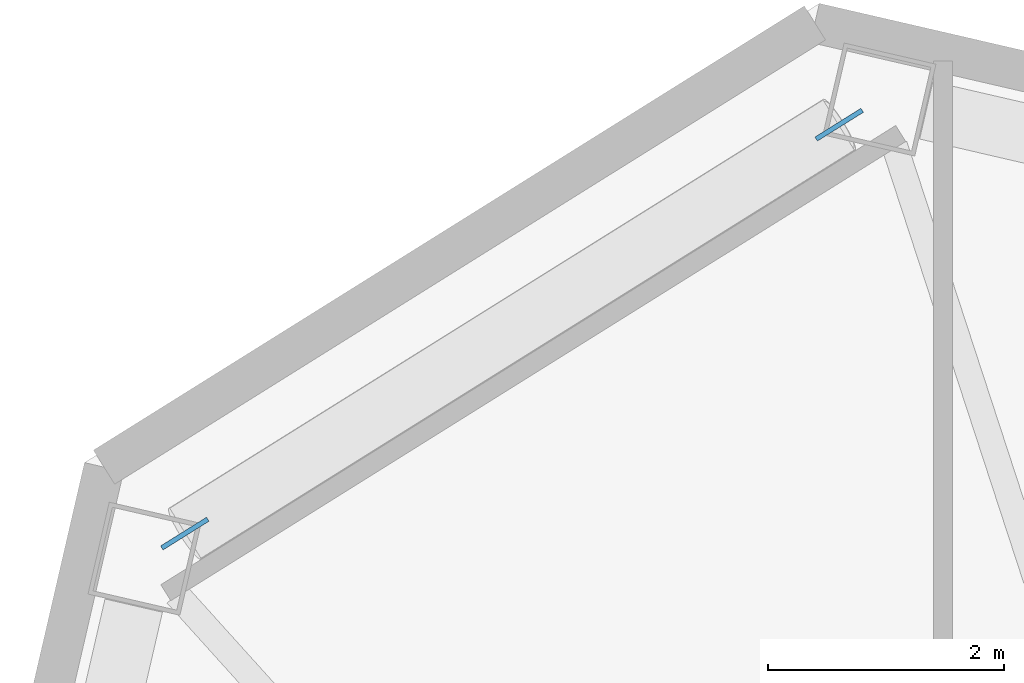
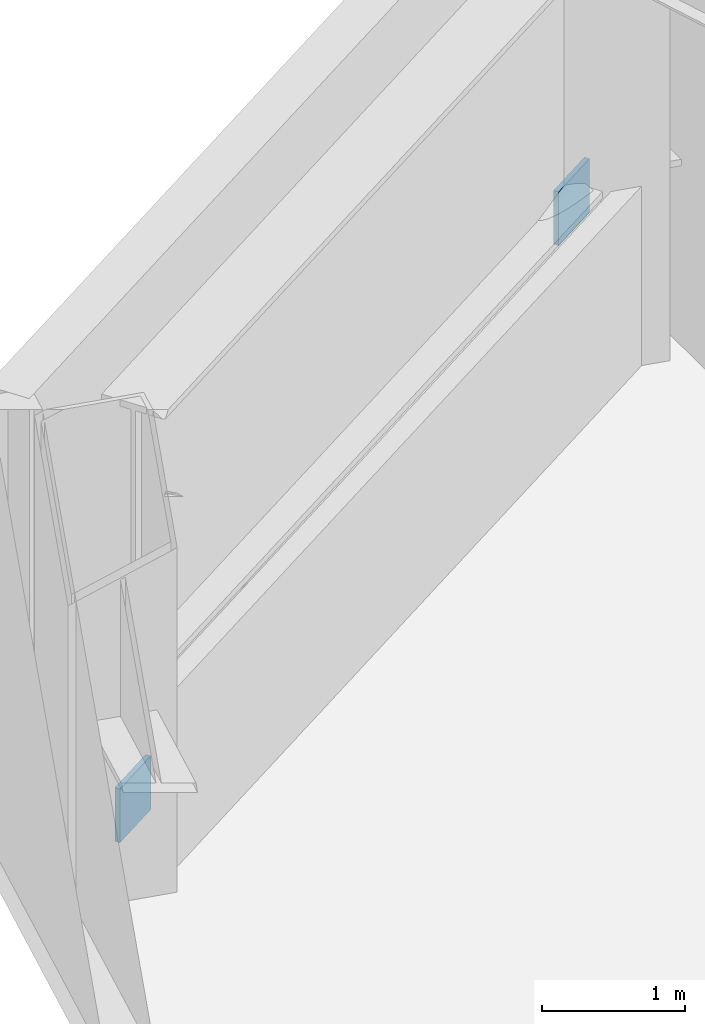
# One storey, part 16 of 20: 2 discrete accessories.
"""IFC4 building model written with IfcOpenShell, lengths in metres."""

from ifc_helpers import new_model, si_unit, direction, frame, origin, origin_2d, place, context, subcontext, project, spatial, rectangle, extrude, material, type_object, element, save


model = new_model("IFC4")

# Units and contexts
model_context = context("Model", 3, precision=1e-05, world=origin(), true_north=direction((0.0, 1.0)))
body_context = subcontext(model_context, "Body", "Model", "MODEL_VIEW")
ifc_project = project(units=[si_unit("LENGTHUNIT", "METRE"), si_unit("AREAUNIT", "SQUARE_METRE"), si_unit("VOLUMEUNIT", "CUBIC_METRE"), si_unit("PLANEANGLEUNIT", "RADIAN"), si_unit("MASSUNIT", "GRAM", prefix="KILO")], contexts=[model_context])

# Site, building, storey
site_placement = place(None, origin())
site = spatial("IfcSite", under=ifc_project, at=site_placement, CompositionType="ELEMENT")
building_placement = place(site_placement, origin())
building = spatial("IfcBuilding", under=site, at=building_placement, Name="Tavrogorsk Clinical Tower", CompositionType="ELEMENT")
storey_placement = place(building_placement, frame((0.0, 0.0, 39.39990234375)))
storey = spatial("IfcBuildingStorey", under=building, at=storey_placement, Name="L07", CompositionType="ELEMENT", Elevation=39.39990234375)

# Discrete accessories
ifc_material = material(Name="Structural steel S440", Category="steel")
discrete_accessory_type = type_object("IfcDiscreteAccessoryType", Name="GussetPlateBracket_25", PredefinedType="BRACKET", material=ifc_material)
for number, where, z_axis, x_axis, name in (
    (1, (-35.9345703125, 26.47314453125, 0.13525390625), (0.0, 0.0, 1.0), (0.848048096156, 0.529919264233, 0.0), "L07 Brace Gusset Plate EXOCRN-L07-3-A"),
    (2, (-30.38134765625, 29.943115234375, 1.195068359375), (0.0, 0.0, 1.0), (0.848048096156, 0.529919264233, 0.0), "L07 Brace Gusset Plate EXOCRN-L07-3-B"),
):
    element("IfcDiscreteAccessory", number, at=place(storey_placement, frame(where, z_axis=z_axis, x_axis=x_axis)), inside=storey, type_object=discrete_accessory_type, Name=name, PredefinedType="BRACKET", context=body_context, shape_type="SweptSolid", body=[
        extrude(rectangle(XDim=0.4599609375, YDim=0.0400390625, at=origin_2d()), origin(), (0.0, 0.0, 1.0), 0.4599609375),
    ])

save(model, "model.ifc")
